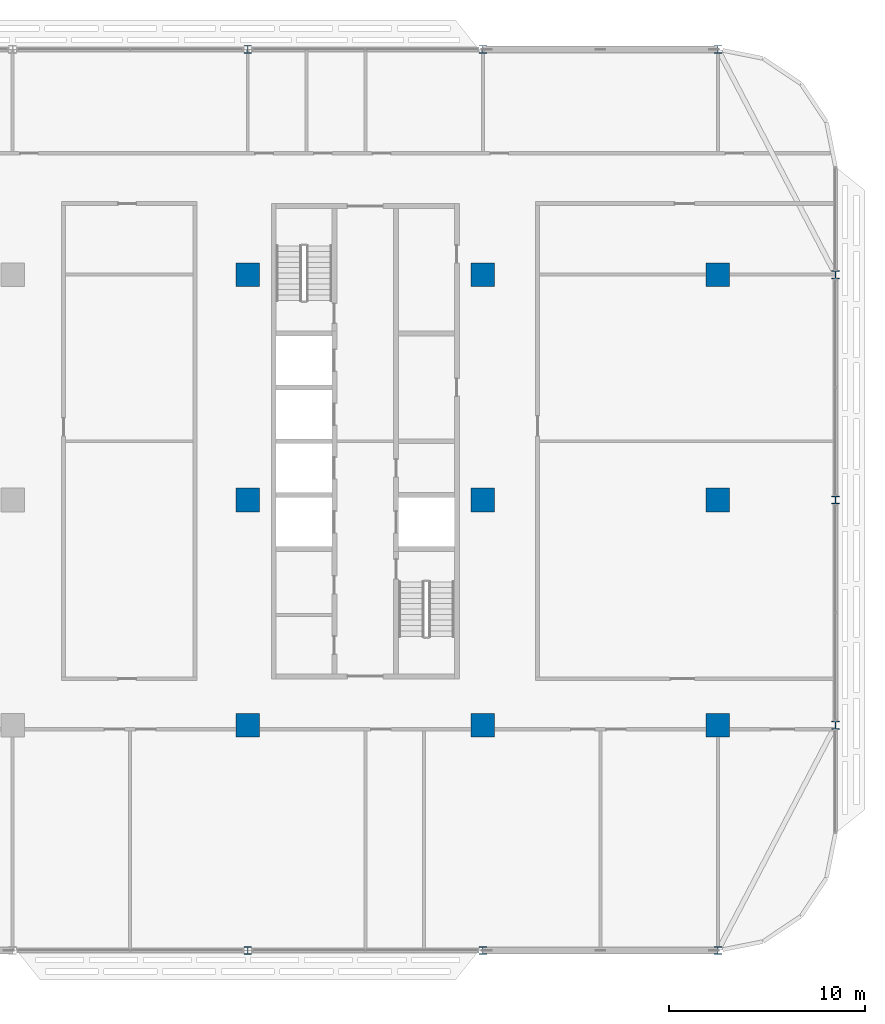
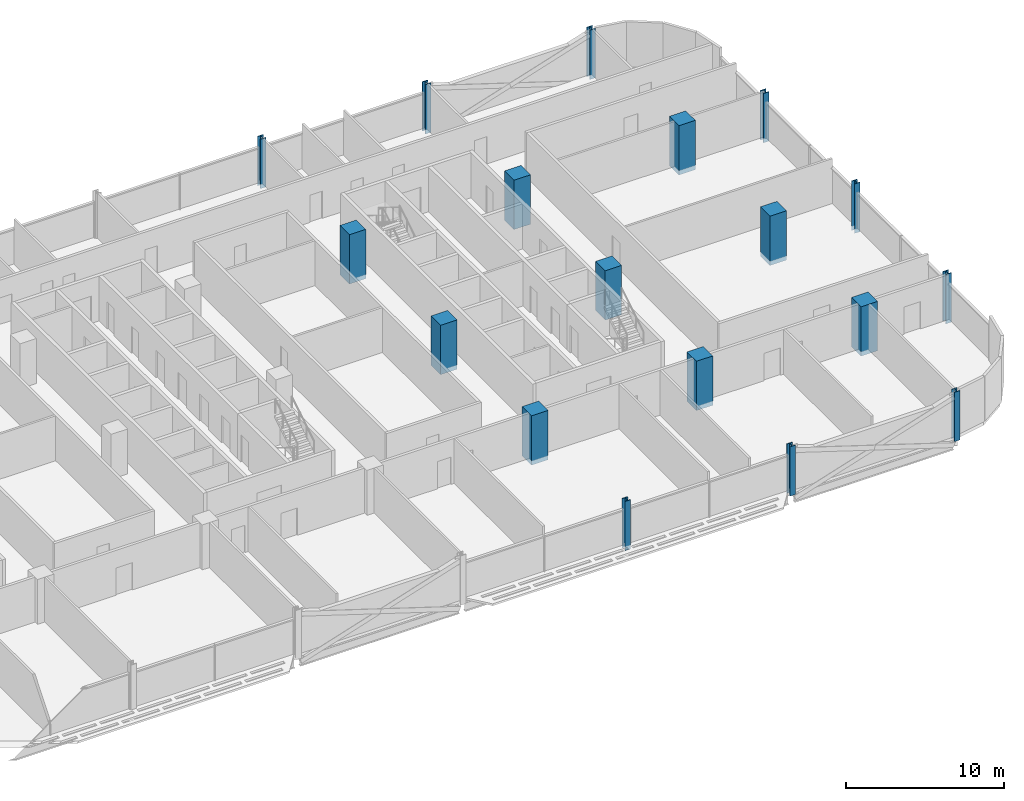
# One storey, part 2 of 27: 18 columns.
"""IFC4 building model written with IfcOpenShell, lengths in metres."""

from ifc_helpers import new_model, si_unit, direction, frame, origin, origin_2d, place, context, subcontext, project, spatial, rectangle, i_section, extrude, material, material_profile, profile_set, type_object, element, save


model = new_model("IFC4")

# Units and contexts
model_context = context("Model", 3, precision=1e-05, world=origin(), true_north=direction((0.0, 1.0)))
body_context = subcontext(model_context, "Body", "Model", "MODEL_VIEW")
ifc_project = project(units=[si_unit("LENGTHUNIT", "METRE"), si_unit("AREAUNIT", "SQUARE_METRE"), si_unit("VOLUMEUNIT", "CUBIC_METRE"), si_unit("PLANEANGLEUNIT", "RADIAN"), si_unit("MASSUNIT", "GRAM", prefix="KILO")], contexts=[model_context])

# Site, building, storey
site_placement = place(None, origin())
site = spatial("IfcSite", under=ifc_project, at=site_placement, CompositionType="ELEMENT")
building_placement = place(site_placement, origin())
building = spatial("IfcBuilding", under=site, at=building_placement, Name="Mahtab Terrace Research Tower", CompositionType="ELEMENT")
storey_placement = place(building_placement, frame((0.0, 0.0, 163.0)))
storey = spatial("IfcBuildingStorey", under=building, at=storey_placement, Name="L38", CompositionType="ELEMENT", Elevation=163.0)

# Columns
ifc_material_1 = material(Name="Concrete C70/85", Category="concrete")
ifc_material_profile_1 = material_profile(ifc_material_1, rectangle(XDim=1.199951171875, YDim=1.199951171875, at=origin_2d()), Name="RC column 1200x1200")
ifc_profile_set_1 = profile_set([ifc_material_profile_1], Name="Concrete C70/85")
column_type_1 = type_object("IfcColumnType", Name="RC column 1200x1200", PredefinedType="COLUMN", material=ifc_profile_set_1)
for number, where, z_axis, x_axis, name in (
    (1, (18.0, -11.5, -0.340087890625), (0.0, 0.0, 1.0), (1.0, 0.0, 0.0), "Column RC-6A L38"),
    (2, (18.0, 0.0, -0.340087890625), (0.0, 0.0, 1.0), (1.0, 0.0, 0.0), "Column RC-6B L38"),
    (3, (18.0, 11.5, -0.340087890625), (0.0, 0.0, 1.0), (1.0, 0.0, 0.0), "Column RC-6C L38"),
    (4, (30.0, -11.5, -0.340087890625), (0.0, 0.0, 1.0), (1.0, 0.0, 0.0), "Column RC-7A L38"),
    (5, (30.0, 0.0, -0.340087890625), (0.0, 0.0, 1.0), (1.0, 0.0, 0.0), "Column RC-7B L38"),
    (6, (30.0, 11.5, -0.340087890625), (0.0, 0.0, 1.0), (1.0, 0.0, 0.0), "Column RC-7C L38"),
    (7, (42.0, -11.5, -0.340087890625), (0.0, 0.0, 1.0), (1.0, 0.0, 0.0), "Column RC-8A L38"),
    (8, (42.0, 0.0, -0.340087890625), (0.0, 0.0, 1.0), (1.0, 0.0, 0.0), "Column RC-8B L38"),
    (9, (42.0, 11.5, -0.340087890625), (0.0, 0.0, 1.0), (1.0, 0.0, 0.0), "Column RC-8C L38"),
):
    element("IfcColumn", number, at=place(storey_placement, frame(where, z_axis=z_axis, x_axis=x_axis)), inside=storey, type_object=column_type_1, Name=name, PredefinedType="COLUMN", context=body_context, shape_type="SweptSolid", body=[
        extrude(rectangle(XDim=1.199951171875, YDim=1.199951171875, at=origin_2d()), origin(), (0.0, 0.0, 1.0), 3.800048828125),
    ])
ifc_material_2 = material(Name="Steel ASTM A992 Gr 50", Category="steel")
ifc_material_profile_2 = material_profile(ifc_material_2, i_section(OverallWidth=0.406494140625, OverallDepth=0.41650390625, WebThickness=0.030029296875, FlangeThickness=0.048095703125, at=origin_2d()), Name="W14X257")
ifc_profile_set_2 = profile_set([ifc_material_profile_2], Name="Steel ASTM A992 Gr 50")
column_type_2 = type_object("IfcColumnType", Name="W14x257 column CS14257", PredefinedType="COLUMN", material=ifc_profile_set_2)
for number, where, z_axis, x_axis, name in (
    (10, (42.0, 23.0, -0.340087890625), (0.0, 0.0, 1.0), (1.0, 0.0, 0.0), "Column SC-001 L38"),
    (11, (30.0, 23.0, -0.340087890625), (0.0, 0.0, 1.0), (1.0, 0.0, 0.0), "Column SC-002 L38"),
    (12, (18.0, 23.0, -0.340087890625), (0.0, 0.0, 1.0), (1.0, 0.0, 0.0), "Column SC-003 L38"),
    (13, (18.0, -23.0, -0.340087890625), (0.0, 0.0, 1.0), (1.0, 0.0, 0.0), "Column SC-017 L38"),
    (14, (30.0, -23.0, -0.340087890625), (0.0, 0.0, 1.0), (1.0, 0.0, 0.0), "Column SC-018 L38"),
    (15, (42.0, -23.0, -0.340087890625), (0.0, 0.0, 1.0), (1.0, 0.0, 0.0), "Column SC-019 L38"),
    (16, (48.0, -11.5, -0.340087890625), (0.0, 0.0, 1.0), (1.0, 0.0, 0.0), "Column SC-020 L38"),
    (17, (48.0, 0.0, -0.340087890625), (0.0, 0.0, 1.0), (1.0, 0.0, 0.0), "Column SC-021 L38"),
    (18, (48.0, 11.5, -0.340087890625), (0.0, 0.0, 1.0), (1.0, 0.0, 0.0), "Column SC-022 L38"),
):
    element("IfcColumn", number, at=place(storey_placement, frame(where, z_axis=z_axis, x_axis=x_axis)), inside=storey, type_object=column_type_2, Name=name, PredefinedType="COLUMN", context=body_context, shape_type="SweptSolid", body=[
        extrude(i_section(OverallWidth=0.406494140625, OverallDepth=0.41650390625, WebThickness=0.030029296875, FlangeThickness=0.048095703125, at=origin_2d()), origin(), (0.0, 0.0, 1.0), 3.800048828125),
    ])

save(model, "model.ifc")
